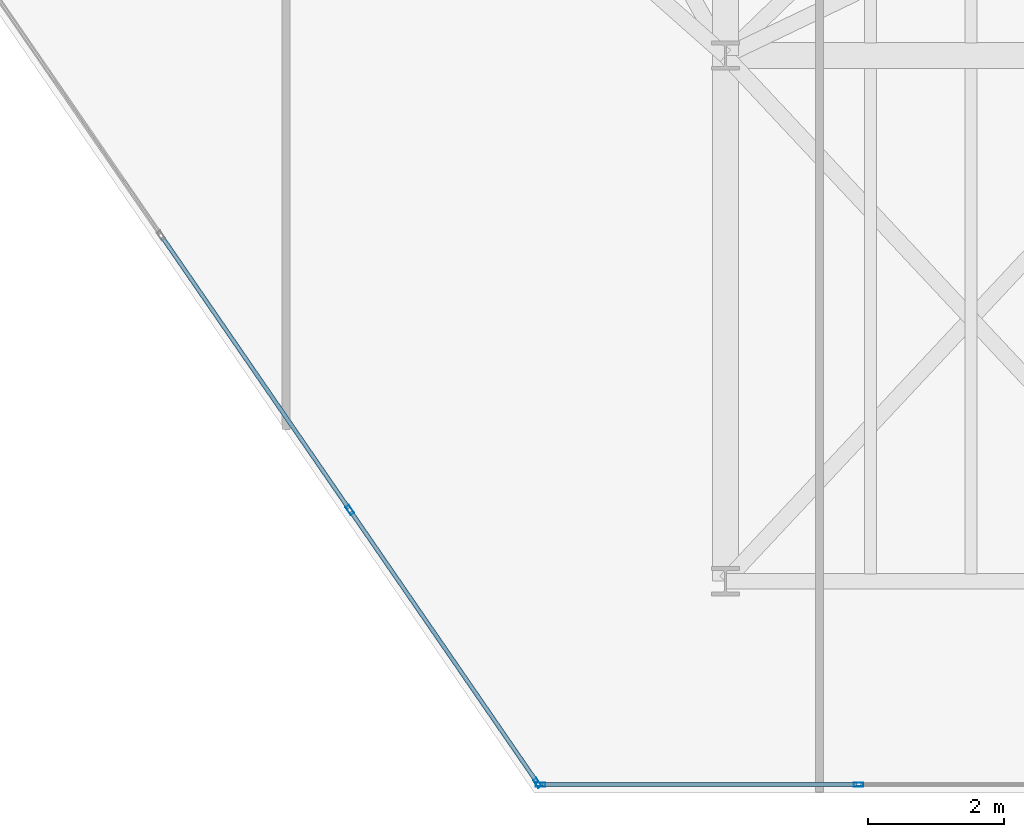
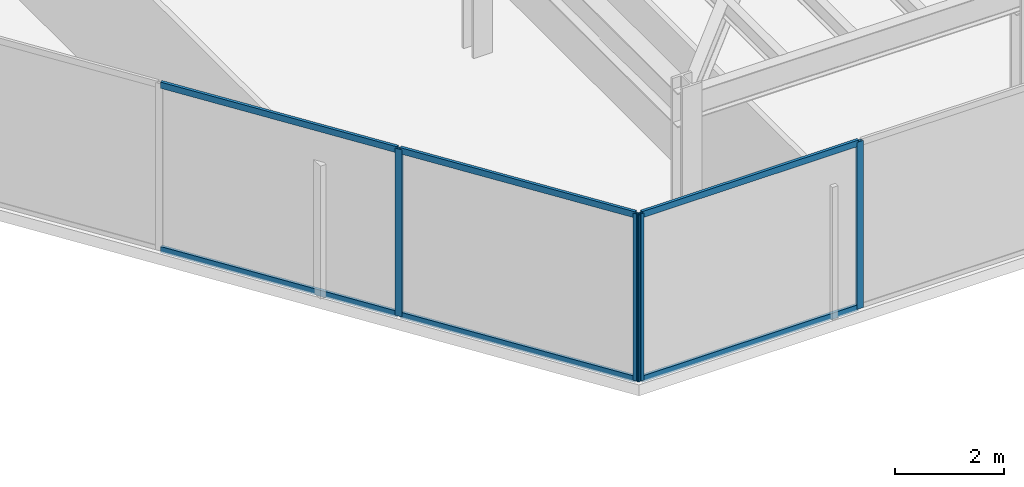
# One storey, part 10 of 21: 10 members, 2 elements without a shape of their own.
"""IFC4 building model written with IfcOpenShell, lengths in metres."""

from ifc_helpers import new_model, si_unit, direction, frame, origin, origin_2d, place, context, subcontext, project, spatial, hollow_rectangle, extrude, material, layer, layer_set, material_profile, profile_set, type_object, element, aggregate, save


model = new_model("IFC4")

# Units and contexts
model_context = context("Model", 3, precision=1e-05, world=origin(), true_north=direction((0.0, 1.0)))
body_context = subcontext(model_context, "Body", "Model", "MODEL_VIEW")
ifc_project = project(units=[si_unit("LENGTHUNIT", "METRE"), si_unit("AREAUNIT", "SQUARE_METRE"), si_unit("VOLUMEUNIT", "CUBIC_METRE"), si_unit("PLANEANGLEUNIT", "RADIAN"), si_unit("MASSUNIT", "GRAM", prefix="KILO")], contexts=[model_context])

# Site, building, storey
site_placement = place(None, origin())
site = spatial("IfcSite", under=ifc_project, at=site_placement, CompositionType="ELEMENT")
building_placement = place(site_placement, origin())
building = spatial("IfcBuilding", under=site, at=building_placement, Name="Kravanh Interchange Tower", CompositionType="ELEMENT")
storey_placement = place(building_placement, frame((0.0, 0.0, 192.5)))
storey = spatial("IfcBuildingStorey", under=building, at=storey_placement, Name="L46", CompositionType="ELEMENT", Elevation=192.5)

# Curtain wall, members
ifc_material_1 = material(Name="Anodised Bronze Aluminium", Category="aluminium")
ifc_layer = layer(ifc_material_1, 0.179931640625)
ifc_layer_set = layer_set([ifc_layer], Name="Unitised Curtain Wall System CW-Z3 Upper Office")
curtain_wall_type = type_object("IfcCurtainWallType", Name="Unitised Curtain Wall System CW-Z3 Upper Office", PredefinedType="NOTDEFINED", material=ifc_layer_set)
curtain_wall_1_placement = place(storey_placement, origin())
curtain_wall_1 = element("IfcCurtainWall", 1, at=curtain_wall_1_placement, inside=storey, type_object=curtain_wall_type, Name="L46 Unitised Curtain Wall CW-L46-02", PredefinedType="NOTDEFINED")
ifc_material_2 = material(Name="Anodised Bronze Aluminium", Category="aluminium")
ifc_material_profile_1 = material_profile(ifc_material_2, hollow_rectangle(XDim=0.06005859375, YDim=0.139892578125, WallThickness=0.00390625, at=origin_2d()), Name="ALU60X140X4")
ifc_profile_set_1 = profile_set([ifc_material_profile_1], Name="Anodised Bronze Aluminium")
member_type_1 = type_object("IfcMemberType", Name="Curtain Wall Mullion ALU60X140X4 Bronze", PredefinedType="MULLION", material=ifc_profile_set_1)
member_1_placement = place(storey_placement, frame((57.9521484375, 11.52001953125, 0.0), z_axis=(0.0, 0.0, 1.0), x_axis=(0.0, -1.0, 0.0)))
member_1 = element("IfcMember", 2, at=member_1_placement, type_object=member_type_1, Name="CW-Z3 mullion 2", PredefinedType="MULLION", context=body_context, shape_type="SweptSolid", body=[
    extrude(hollow_rectangle(XDim=0.06005859375, YDim=0.139892578125, WallThickness=0.00390625, at=origin_2d()), origin(), (0.0, 0.0, 1.0), 3.7548828125),
])
member_2_placement = place(storey_placement, frame((53.293212890625, 11.52001953125, 0.0), z_axis=(0.0, 0.0, 1.0), x_axis=(0.0, -1.0, 0.0)))
member_2 = element("IfcMember", 3, at=member_2_placement, type_object=member_type_1, Name="CW-Z3 mullion 3", PredefinedType="MULLION", context=body_context, shape_type="SweptSolid", body=[
    extrude(hollow_rectangle(XDim=0.06005859375, YDim=0.139892578125, WallThickness=0.00390625, at=origin_2d()), origin(), (0.0, 0.0, 1.0), 3.7548828125),
])

curtain_wall_2_placement = place(storey_placement, origin())
curtain_wall_2 = element("IfcCurtainWall", 4, at=curtain_wall_2_placement, inside=storey, type_object=curtain_wall_type, Name="L46 Unitised Curtain Wall CW-L46-03", PredefinedType="NOTDEFINED")
member_3_placement = place(storey_placement, frame((53.24609375, 11.544677734375, 0.0), z_axis=(0.0, 0.0, 1.0), x_axis=(-0.824042223035, -0.566528388217, 0.0)))
member_3 = element("IfcMember", 5, at=member_3_placement, type_object=member_type_1, Name="CW-Z3 mullion 1", PredefinedType="MULLION", context=body_context, shape_type="SweptSolid", body=[
    extrude(hollow_rectangle(XDim=0.06005859375, YDim=0.139892578125, WallThickness=0.00390625, at=origin_2d()), origin(), (0.0, 0.0, 1.0), 3.7548828125),
])
member_4_placement = place(storey_placement, frame((50.497314453125, 15.54296875, 0.0), z_axis=(0.0, 0.0, 1.0), x_axis=(-0.824042223035, -0.566528388217, 0.0)))
member_4 = element("IfcMember", 6, at=member_4_placement, type_object=member_type_1, Name="CW-Z3 mullion 2", PredefinedType="MULLION", context=body_context, shape_type="SweptSolid", body=[
    extrude(hollow_rectangle(XDim=0.06005859375, YDim=0.139892578125, WallThickness=0.00390625, at=origin_2d()), origin(), (0.0, 0.0, 1.0), 3.7548828125),
])

# Member
ifc_material_3 = material(Name="Anodised Bronze Aluminium", Category="aluminium")
ifc_material_profile_2 = material_profile(ifc_material_3, hollow_rectangle(XDim=0.06005859375, YDim=0.139892578125, WallThickness=0.00390625, at=origin_2d()), Name="ALU60X140X4")
ifc_profile_set_2 = profile_set([ifc_material_profile_2], Name="Anodised Bronze Aluminium")
member_type_2 = type_object("IfcMemberType", Name="Curtain Wall Transom ALU60X140X4 Bronze", PredefinedType="USERDEFINED", material=ifc_profile_set_2)
member_5_placement = place(storey_placement, frame((57.922119140625, 11.52001953125, 0.030029296875), z_axis=(-1.0, 0.0, 0.0), x_axis=(0.0, -1.0, 0.0)))
member_5 = element("IfcMember", 7, at=member_5_placement, type_object=member_type_2, Name="CW-Z3 transom 2.1", ObjectType="TRANSOM", PredefinedType="USERDEFINED", context=body_context, shape_type="SweptSolid", body=[
    extrude(hollow_rectangle(XDim=0.06005859375, YDim=0.139892578125, WallThickness=0.00390625, at=origin_2d()), origin(), (0.0, 0.0, 1.0), 4.59912109375),
])

member_6_placement = place(storey_placement, frame((57.922119140625, 11.52001953125, 3.72509765625), z_axis=(-1.0, 0.0, 0.0), x_axis=(0.0, -1.0, 0.0)))
member_6 = element("IfcMember", 8, at=member_6_placement, type_object=member_type_2, Name="CW-Z3 transom 2.2", ObjectType="TRANSOM", PredefinedType="USERDEFINED", context=body_context, shape_type="SweptSolid", body=[
    extrude(hollow_rectangle(XDim=0.06005859375, YDim=0.139892578125, WallThickness=0.00390625, at=origin_2d()), origin(), (0.0, 0.0, 1.0), 4.59912109375),
])

aggregate(curtain_wall_1, [member_1, member_2, member_5, member_6])

member_7_placement = place(storey_placement, frame((53.22900390625, 11.5693359375, 0.030029296875), z_axis=(-0.566483415384, 0.824073140016, 0.0), x_axis=(-0.824073140016, -0.566483415384, 0.0)))
member_7 = element("IfcMember", 9, at=member_7_placement, type_object=member_type_2, Name="CW-Z3 transom 1.1", ObjectType="TRANSOM", PredefinedType="USERDEFINED", context=body_context, shape_type="SweptSolid", body=[
    extrude(hollow_rectangle(XDim=0.06005859375, YDim=0.139892578125, WallThickness=0.00390625, at=origin_2d()), origin(), (0.0, 0.0, 1.0), 4.7919921875),
])

member_8_placement = place(storey_placement, frame((53.22900390625, 11.5693359375, 3.72509765625), z_axis=(-0.566483415384, 0.824073140016, 0.0), x_axis=(-0.824073140016, -0.566483415384, 0.0)))
member_8 = element("IfcMember", 10, at=member_8_placement, type_object=member_type_2, Name="CW-Z3 transom 1.2", ObjectType="TRANSOM", PredefinedType="USERDEFINED", context=body_context, shape_type="SweptSolid", body=[
    extrude(hollow_rectangle(XDim=0.06005859375, YDim=0.139892578125, WallThickness=0.00390625, at=origin_2d()), origin(), (0.0, 0.0, 1.0), 4.7919921875),
])

member_9_placement = place(storey_placement, frame((50.480224609375, 15.567626953125, 0.030029296875), z_axis=(-0.566503037389, 0.824059651135, 0.0), x_axis=(-0.824059651135, -0.566503037389, 0.0)))
member_9 = element("IfcMember", 11, at=member_9_placement, type_object=member_type_2, Name="CW-Z3 transom 2.1", ObjectType="TRANSOM", PredefinedType="USERDEFINED", context=body_context, shape_type="SweptSolid", body=[
    extrude(hollow_rectangle(XDim=0.06005859375, YDim=0.139892578125, WallThickness=0.00390625, at=origin_2d()), origin(), (0.0, 0.0, 1.0), 4.822021484375),
])

member_10_placement = place(storey_placement, frame((50.480224609375, 15.567626953125, 3.72509765625), z_axis=(-0.566503037389, 0.824059651135, 0.0), x_axis=(-0.824059651135, -0.566503037389, 0.0)))
member_10 = element("IfcMember", 12, at=member_10_placement, type_object=member_type_2, Name="CW-Z3 transom 2.2", ObjectType="TRANSOM", PredefinedType="USERDEFINED", context=body_context, shape_type="SweptSolid", body=[
    extrude(hollow_rectangle(XDim=0.06005859375, YDim=0.139892578125, WallThickness=0.00390625, at=origin_2d()), origin(), (0.0, 0.0, 1.0), 4.822021484375),
])

aggregate(curtain_wall_2, [member_3, member_4, member_7, member_8, member_9, member_10])

save(model, "model.ifc")
